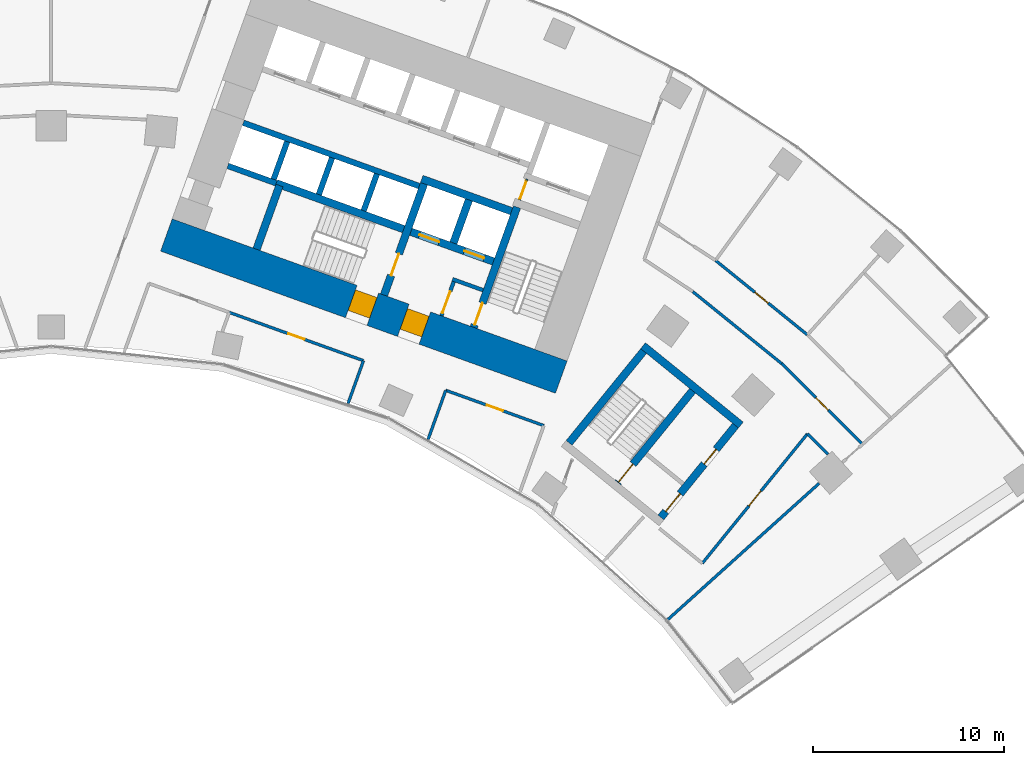
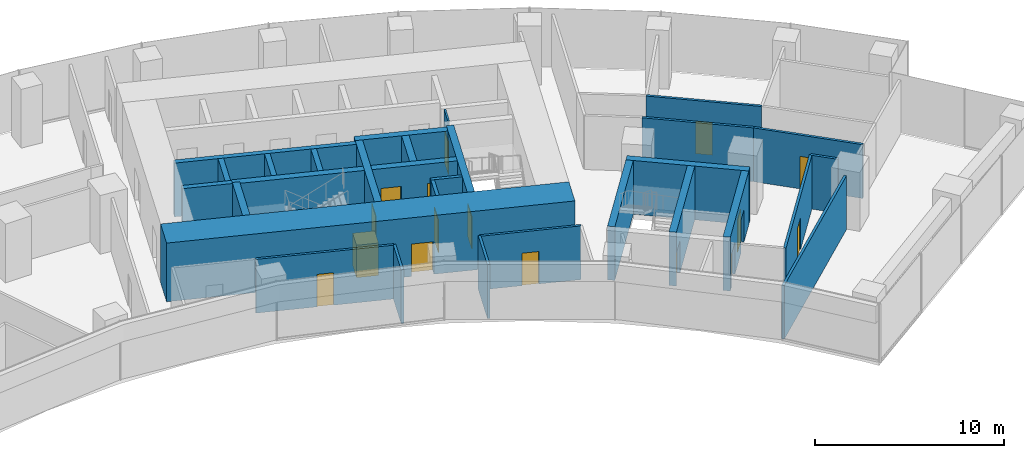
# One storey, part 17 of 21: 29 walls, 16 doors, 16 openings.
"""IFC4 building model written with IfcOpenShell, lengths in metres."""

from ifc_helpers import new_model, si_unit, direction, frame, frame_2d, origin, place, context, subcontext, project, spatial, rectangle, extrude, material, layer, layer_set, type_object, element, fill, save


model = new_model("IFC4")

# Units and contexts
model_context = context("Model", 3, precision=1e-05, world=origin(), true_north=direction((0.0, 1.0)))
body_context = subcontext(model_context, "Body", "Model", "MODEL_VIEW")
ifc_project = project(units=[si_unit("LENGTHUNIT", "METRE"), si_unit("AREAUNIT", "SQUARE_METRE"), si_unit("VOLUMEUNIT", "CUBIC_METRE"), si_unit("PLANEANGLEUNIT", "RADIAN"), si_unit("MASSUNIT", "GRAM", prefix="KILO")], contexts=[model_context])

# Site, building, storey
site_placement = place(None, origin())
site = spatial("IfcSite", under=ifc_project, at=site_placement, CompositionType="ELEMENT")
building_placement = place(site_placement, origin())
building = spatial("IfcBuilding", under=site, at=building_placement, Name="Stone Belt Terrace Tower", CompositionType="ELEMENT")
storey_placement = place(building_placement, frame((0.0, 0.0, 60.39990234375)))
storey = spatial("IfcBuildingStorey", under=building, at=storey_placement, Name="L14", CompositionType="ELEMENT", Elevation=60.39990234375)

# Wall, opening, door
ifc_material_1 = material(Name="Plasterboard partition")
ifc_layer_1 = layer(ifc_material_1, 0.10009765625)
ifc_layer_set_1 = layer_set([ifc_layer_1], Name="Core partition 100")
wall_type_1 = type_object("IfcWallType", Name="Core partition 100", PredefinedType="PARTITIONING", material=ifc_layer_set_1)
wall_1_placement = place(storey_placement, frame((24.555908203125, 51.10400390625, 0.0), z_axis=(0.0, 0.0, 1.0), x_axis=(0.338621735342, 0.94092258999, 0.0)))
wall_1 = element("IfcWall", 1, at=wall_1_placement, inside=storey, type_object=wall_type_1, Name="Core B wall", PredefinedType="PARTITIONING", context=body_context, shape_type="SweptSolid", body=[
    extrude(rectangle(XDim=1.14990234375, YDim=0.10009765625, at=frame_2d((0.574951171875, 0.0))), origin(), (0.0, 0.0, 1.0), 3.47998046875),
])
opening_1_placement = place(wall_1_placement, frame((0.050048828125, 0.0, 0.0)))
opening_1 = element("IfcOpeningElement", 2, at=opening_1_placement, cuts=wall_1, Name="Opening L14-C09", PredefinedType="OPENING", context=body_context, shape_type="SweptSolid", body=[
    extrude(rectangle(XDim=1.0, YDim=2.10009765625, at=frame_2d((0.5, 1.050048828125))), frame((0.0, 0.06005859375, 0.0), z_axis=(0.0, -1.0, 0.0), x_axis=(1.0, 0.0, 0.0)), (0.0, 0.0, 1.0), 0.1201171875),
])
ifc_material_2 = material(Name="Timber door leaf", Category="wood")
door_type_1 = type_object("IfcDoorType", Name="Core room door 1000", OperationType="SINGLE_SWING_LEFT", PredefinedType="DOOR", material=ifc_material_2)
door_1_placement = place(opening_1_placement, origin())
door_1 = element("IfcDoor", 3, at=door_1_placement, inside=storey, type_object=door_type_1, Name="Service lift lobby door core B", OperationType="SINGLE_SWING_LEFT", OverallHeight=2.10009765625, OverallWidth=1.0, PredefinedType="DOOR", context=body_context, shape_type="SweptSolid", body=[
    extrude(rectangle(XDim=1.0, YDim=2.10009765625, at=frame_2d((0.5, 1.050048828125))), frame((0.0, 0.02490234375, 0.0), z_axis=(0.0, -1.0, 0.0), x_axis=(1.0, 0.0, 0.0)), (0.0, 0.0, 1.0), 0.050048828125),
])
fill(opening_1, door_1)

# Wall, openings, doors
ifc_material_3 = material(Name="Concrete B80", Category="concrete")
ifc_layer_2 = layer(ifc_material_3, 1.800048828125)
ifc_layer_set_2 = layer_set([ifc_layer_2], Name="Core wall 1800 B80")
wall_type_2 = type_object("IfcWallType", Name="Core wall 1800 B80", PredefinedType="SHEAR", material=ifc_layer_set_2)
wall_2_placement = place(storey_placement, frame((6.039306640625, 49.265380859375, 0.0), z_axis=(0.0, 0.0, 1.0), x_axis=(0.940921642213, -0.338624368902, 0.0)))
wall_2 = element("IfcWall", 4, at=wall_2_placement, inside=storey, type_object=wall_type_2, Name="Core B wall concave L14", PredefinedType="SHEAR", context=body_context, shape_type="SweptSolid", body=[
    extrude(rectangle(XDim=22.0, YDim=1.800048828125, at=frame_2d((11.0, 0.0))), origin(), (0.0, 0.0, 1.0), 3.800048828125),
])
opening_2_placement = place(wall_2_placement, frame((13.199951171875, 0.0, 0.0)))
opening_2 = element("IfcOpeningElement", 5, at=opening_2_placement, cuts=wall_2, Name="Opening L14-C13", PredefinedType="OPENING", context=body_context, shape_type="SweptSolid", body=[
    extrude(rectangle(XDim=1.199951171875, YDim=2.10009765625, at=frame_2d((0.60009765625, 1.050048828125))), frame((0.0, 0.909912109375, 0.0), z_axis=(0.0, -1.0, 0.0), x_axis=(1.0, 0.0, 0.0)), (0.0, 0.0, 1.0), 1.820068359375),
])
opening_3_placement = place(wall_2_placement, frame((10.300048828125, 0.0, 0.0)))
opening_3 = element("IfcOpeningElement", 6, at=opening_3_placement, cuts=wall_2, Name="Opening L14-C15", PredefinedType="OPENING", context=body_context, shape_type="SweptSolid", body=[
    extrude(rectangle(XDim=1.199951171875, YDim=2.10009765625, at=frame_2d((0.60009765625, 1.050048828125))), frame((0.0, 0.909912109375, 0.0), z_axis=(0.0, -1.0, 0.0), x_axis=(1.0, 0.0, 0.0)), (0.0, 0.0, 1.0), 1.820068359375),
])
ifc_material_4 = material(Name="Steel door leaf", Category="steel")
door_type_2 = type_object("IfcDoorType", Name="Fire-fighting lobby door 1200", OperationType="SINGLE_SWING_LEFT", PredefinedType="DOOR", material=ifc_material_4)
door_2_placement = place(opening_2_placement, origin())
door_2 = element("IfcDoor", 7, at=door_2_placement, inside=storey, type_object=door_type_2, Name="Fire-fighting lobby door core B", OperationType="SINGLE_SWING_LEFT", OverallHeight=2.10009765625, OverallWidth=1.199951171875, PredefinedType="DOOR", context=body_context, shape_type="SweptSolid", body=[
    extrude(rectangle(XDim=1.199951171875, YDim=2.10009765625, at=frame_2d((0.60009765625, 1.050048828125))), frame((0.0, 0.655029296875, 0.0), z_axis=(0.0, -1.0, 0.0), x_axis=(1.0, 0.0, 0.0)), (0.0, 0.0, 1.0), 1.14990234375),
])
fill(opening_2, door_2)
door_type_3 = type_object("IfcDoorType", Name="Stair door 1200", OperationType="SINGLE_SWING_LEFT", PredefinedType="DOOR", material=ifc_material_4)
door_3_placement = place(opening_3_placement, origin())
door_3 = element("IfcDoor", 8, at=door_3_placement, inside=storey, type_object=door_type_3, Name="Stair 2 exit door core B", OperationType="SINGLE_SWING_RIGHT", OverallHeight=2.10009765625, OverallWidth=1.199951171875, PredefinedType="DOOR", context=body_context, shape_type="SweptSolid", body=[
    extrude(rectangle(XDim=1.199951171875, YDim=2.10009765625, at=frame_2d((0.60009765625, 1.050048828125))), frame((0.0, 0.655029296875, 0.0), z_axis=(0.0, -1.0, 0.0), x_axis=(1.0, 0.0, 0.0)), (0.0, 0.0, 1.0), 1.14990234375),
])
fill(opening_3, door_3)

# Walls
ifc_layer_3 = layer(ifc_material_3, 0.39990234375)
ifc_layer_set_3 = layer_set([ifc_layer_3], Name="Fire-fighting lift shaft wall 400")
wall_type_3 = type_object("IfcWallType", Name="Fire-fighting lift shaft wall 400", PredefinedType="SHEAR", material=ifc_layer_set_3)
wall_3_placement = place(storey_placement, frame((24.130615234375, 50.512939453125, 0.0), z_axis=(0.0, 0.0, 1.0), x_axis=(-0.94091168377, 0.338652038744, 0.0)))
element("IfcWall", 9, at=wall_3_placement, inside=storey, type_object=wall_type_3, Name="Core B wall", PredefinedType="SHEAR", context=body_context, shape_type="SweptSolid", body=[
    extrude(rectangle(XDim=5.000244140625, YDim=0.39990234375, at=frame_2d((2.5, 0.0))), origin(), (0.0, 0.0, 1.0), 3.47998046875),
])
wall_4_placement = place(storey_placement, frame((21.0859375, 48.845458984375, 0.0), z_axis=(0.0, 0.0, 1.0), x_axis=(0.338629416206, 0.940919825745, 0.0)))
element("IfcWall", 10, at=wall_4_placement, inside=storey, type_object=wall_type_3, Name="Core B wall", PredefinedType="SHEAR", context=body_context, shape_type="SweptSolid", body=[
    extrude(rectangle(XDim=2.400146484375, YDim=0.39990234375, at=frame_2d((1.2001953125, 0.0))), origin(), (0.0, 0.0, 1.0), 3.47998046875),
])
ifc_layer_4 = layer(ifc_material_3, 0.300048828125)
ifc_layer_set_4 = layer_set([ifc_layer_4], Name="Lift shaft wall 300")
wall_type_4 = type_object("IfcWallType", Name="Lift shaft wall 300", PredefinedType="SHEAR", material=ifc_layer_set_4)
wall_5_placement = place(storey_placement, frame((19.29052734375, 51.829833984375, 0.0), z_axis=(0.0, 0.0, 1.0), x_axis=(-0.940925833398, 0.338612722803, 0.0)))
element("IfcWall", 11, at=wall_5_placement, inside=storey, type_object=wall_type_4, Name="Core B wall", PredefinedType="SHEAR", context=body_context, shape_type="SweptSolid", body=[
    extrude(rectangle(XDim=9.7998046875, YDim=0.300048828125, at=frame_2d((4.89990234375, 0.0))), origin(), (0.0, 0.0, 1.0), 3.47998046875),
])
for number, where, z_axis, x_axis, name in (
    (12, (16.38134765625, 50.53857421875, 0.0), (0.0, 0.0, 1.0), (0.338681515556, 0.940901073982, 0.0), "Core B wall"),
    (13, (14.029052734375, 51.38525390625, 0.0), (0.0, 0.0, 1.0), (0.338681515556, 0.940901073982, 0.0), "Core B wall"),
):
    element("IfcWall", number, at=place(storey_placement, frame(where, z_axis=z_axis, x_axis=x_axis)), inside=storey, type_object=wall_type_4, Name=name, PredefinedType="SHEAR", context=body_context, shape_type="SweptSolid", body=[
        extrude(rectangle(XDim=2.050048828125, YDim=0.300048828125, at=frame_2d((1.02490234375, 0.0))), origin(), (0.0, 0.0, 1.0), 3.47998046875),
    ])
wall_6_placement = place(storey_placement, frame((11.797119140625, 51.975830078125, 0.0), z_axis=(0.0, 0.0, 1.0), x_axis=(-0.940910465161, 0.33865542451, 0.0)))
element("IfcWall", 14, at=wall_6_placement, inside=storey, type_object=wall_type_4, Name="Core B wall", PredefinedType="SHEAR", context=body_context, shape_type="SweptSolid", body=[
    extrude(rectangle(XDim=2.69970703125, YDim=0.300048828125, at=frame_2d((1.349853515625, 0.0))), origin(), (0.0, 0.0, 1.0), 3.47998046875),
])
wall_7_placement = place(storey_placement, frame((11.659912109375, 52.184814453125, 0.0), z_axis=(0.0, 0.0, 1.0), x_axis=(0.338670064856, 0.940905195634, 0.0)))
element("IfcWall", 15, at=wall_7_placement, inside=storey, type_object=wall_type_4, Name="Core B wall", PredefinedType="SHEAR", context=body_context, shape_type="SweptSolid", body=[
    extrude(rectangle(XDim=2.099853515625, YDim=0.300048828125, at=frame_2d((1.0498046875, 0.0))), origin(), (0.0, 0.0, 1.0), 3.47998046875),
])
ifc_material_5 = material(Name="Gypsum board partition")
ifc_layer_5 = layer(ifc_material_5, 0.14990234375)
ifc_layer_set_5 = layer_set([ifc_layer_5], Name="PARTITION 150 EI 60")
wall_type_5 = type_object("IfcWallType", Name="PARTITION 150 EI 60", PredefinedType="PARTITIONING", material=ifc_layer_set_5)
wall_8_placement = place(storey_placement, frame((15.56201171875, 40.431640625, 0.0), z_axis=(0.0, 0.0, 1.0), x_axis=(0.338766581984, 0.9408704496, 0.0)))
element("IfcWall", 16, at=wall_8_placement, inside=storey, type_object=wall_type_5, Name="L14/wall/i031", PredefinedType="PARTITIONING", context=body_context, shape_type="SweptSolid", body=[
    extrude(rectangle(XDim=2.385498046875, YDim=0.14990234375, at=frame_2d((1.19287109375, 0.0))), origin(), (0.0, 0.0, 1.0), 3.47998046875),
])

# Wall, opening, door
wall_9_placement = place(storey_placement, frame((16.368896484375, 42.678955078125, 0.0), z_axis=(0.0, 0.0, 1.0), x_axis=(-0.940945636493, 0.338557689565, 0.0)))
wall_9 = element("IfcWall", 17, at=wall_9_placement, inside=storey, type_object=wall_type_5, Name="L14/wall/i032", PredefinedType="PARTITIONING", context=body_context, shape_type="SweptSolid", body=[
    extrude(rectangle(XDim=7.481689453125, YDim=0.14990234375, at=frame_2d((3.74072265625, 0.0))), origin(), (0.0, 0.0, 1.0), 3.47998046875),
])
opening_4_placement = place(wall_9_placement, frame((3.291015625, 0.0, 0.0)))
opening_4 = element("IfcOpeningElement", 18, at=opening_4_placement, cuts=wall_9, Name="Opening D-A4-08", PredefinedType="OPENING", context=body_context, shape_type="SweptSolid", body=[
    extrude(rectangle(XDim=0.89990234375, YDim=2.10009765625, at=frame_2d((0.449951171875, 1.050048828125))), frame((0.0, 0.0849609375, 0.0), z_axis=(0.0, -1.0, 0.0), x_axis=(1.0, 0.0, 0.0)), (0.0, 0.0, 1.0), 0.169921875),
])
door_type_4 = type_object("IfcDoorType", Name="OFFICE DOOR 900 X 2100", OperationType="NOTDEFINED", PredefinedType="DOOR", material=ifc_material_2)
door_4_placement = place(opening_4_placement, origin())
door_4 = element("IfcDoor", 19, at=door_4_placement, inside=storey, type_object=door_type_4, Name="L14/door/i08", OperationType="SINGLE_SWING_RIGHT", OverallHeight=2.10009765625, OverallWidth=0.89990234375, PredefinedType="DOOR", context=body_context, shape_type="SweptSolid", body=[
    extrude(rectangle(XDim=0.89990234375, YDim=2.10009765625, at=frame_2d((0.449951171875, 1.050048828125))), frame((0.0, 0.02490234375, 0.0), z_axis=(0.0, -1.0, 0.0), x_axis=(1.0, 0.0, 0.0)), (0.0, 0.0, 1.0), 0.050048828125),
])
fill(opening_4, door_4)

wall_10_placement = place(storey_placement, frame((25.823974609375, 39.27490234375, 0.0), z_axis=(0.0, 0.0, 1.0), x_axis=(-0.940898242366, 0.338689382048, 0.0)))
wall_10 = element("IfcWall", 20, at=wall_10_placement, inside=storey, type_object=wall_type_5, Name="L14/wall/i033", PredefinedType="PARTITIONING", context=body_context, shape_type="SweptSolid", body=[
    extrude(rectangle(XDim=5.459716796875, YDim=0.14990234375, at=frame_2d((2.72998046875, 0.0))), origin(), (0.0, 0.0, 1.0), 3.47998046875),
])
opening_5_placement = place(wall_10_placement, frame((2.27978515625, 0.0, 0.0)))
opening_5 = element("IfcOpeningElement", 21, at=opening_5_placement, cuts=wall_10, Name="Opening D-A4-09", PredefinedType="OPENING", context=body_context, shape_type="SweptSolid", body=[
    extrude(rectangle(XDim=0.89990234375, YDim=2.10009765625, at=frame_2d((0.449951171875, 1.050048828125))), frame((0.0, 0.0849609375, 0.0), z_axis=(0.0, -1.0, 0.0), x_axis=(1.0, 0.0, 0.0)), (0.0, 0.0, 1.0), 0.169921875),
])
door_5_placement = place(opening_5_placement, origin())
door_5 = element("IfcDoor", 22, at=door_5_placement, inside=storey, type_object=door_type_4, Name="L14/door/i09", OperationType="SINGLE_SWING_RIGHT", OverallHeight=2.10009765625, OverallWidth=0.89990234375, PredefinedType="DOOR", context=body_context, shape_type="SweptSolid", body=[
    extrude(rectangle(XDim=0.89990234375, YDim=2.10009765625, at=frame_2d((0.449951171875, 1.050048828125))), frame((0.0, 0.02490234375, 0.0), z_axis=(0.0, -1.0, 0.0), x_axis=(1.0, 0.0, 0.0)), (0.0, 0.0, 1.0), 0.050048828125),
])
fill(opening_5, door_5)

# Walls
wall_11_placement = place(storey_placement, frame((20.68408203125, 41.123046875, 0.0), z_axis=(0.0, 0.0, 1.0), x_axis=(-0.338747893052, -0.940877178463, 0.0)))
element("IfcWall", 23, at=wall_11_placement, inside=storey, type_object=wall_type_5, Name="L14/wall/i034", PredefinedType="PARTITIONING", context=body_context, shape_type="SweptSolid", body=[
    extrude(rectangle(XDim=2.7373046875, YDim=0.14990234375, at=frame_2d((1.36865234375, 0.0))), origin(), (0.0, 0.0, 1.0), 3.47998046875),
])
wall_12_placement = place(storey_placement, frame((32.32666015625, 29.107177734375, 0.0), z_axis=(0.0, 0.0, 1.0), x_axis=(0.743125739533, 0.66915180284, 0.0)))
element("IfcWall", 24, at=wall_12_placement, inside=storey, type_object=wall_type_5, Name="L14/wall/i060", PredefinedType="PARTITIONING", context=body_context, shape_type="SweptSolid", body=[
    extrude(rectangle(XDim=10.670166015625, YDim=0.14990234375, at=frame_2d((5.3349609375, 0.0))), origin(), (0.0, 0.0, 1.0), 3.47998046875),
])
wall_13_placement = place(storey_placement, frame((40.71240234375, 37.7744140625, 0.0), z_axis=(0.0, 0.0, 1.0), x_axis=(-0.707106781187, 0.707106781187, 0.0)))
element("IfcWall", 25, at=wall_13_placement, inside=storey, type_object=wall_type_5, Name="L14/wall/i063", PredefinedType="PARTITIONING", context=body_context, shape_type="SweptSolid", body=[
    extrude(rectangle(XDim=1.51806640625, YDim=0.14990234375, at=frame_2d((0.759033203125, 0.0))), origin(), (0.0, 0.0, 1.0), 3.47998046875),
])
wall_14_placement = place(storey_placement, frame((33.635986328125, 46.2958984375, 0.0), z_axis=(0.0, 0.0, 1.0), x_axis=(0.77714422733, -0.629322532513, 0.0)))
element("IfcWall", 26, at=wall_14_placement, inside=storey, type_object=wall_type_5, Name="L14/wall/i065", PredefinedType="PARTITIONING", context=body_context, shape_type="SweptSolid", body=[
    extrude(rectangle(XDim=5.98876953125, YDim=0.14990234375, at=frame_2d((2.994384765625, 0.0))), origin(), (0.0, 0.0, 1.0), 3.47998046875),
])

# Wall, opening, door
wall_15_placement = place(storey_placement, frame((38.291015625, 42.52587890625, 0.0), z_axis=(0.0, 0.0, 1.0), x_axis=(0.707106781187, -0.707106781187, 0.0)))
wall_15 = element("IfcWall", 27, at=wall_15_placement, inside=storey, type_object=wall_type_5, Name="L14/wall/i066", PredefinedType="PARTITIONING", context=body_context, shape_type="SweptSolid", body=[
    extrude(rectangle(XDim=5.989013671875, YDim=0.14990234375, at=frame_2d((2.99462890625, 0.0))), origin(), (0.0, 0.0, 1.0), 3.47998046875),
])
opening_6_placement = place(wall_15_placement, frame((2.544677734375, 0.0, 0.0)))
opening_6 = element("IfcOpeningElement", 28, at=opening_6_placement, cuts=wall_15, Name="Opening D-A4-24", PredefinedType="OPENING", context=body_context, shape_type="SweptSolid", body=[
    extrude(rectangle(XDim=0.89990234375, YDim=2.10009765625, at=frame_2d((0.449951171875, 1.050048828125))), frame((0.0, 0.0849609375, 0.0), z_axis=(0.0, -1.0, 0.0), x_axis=(1.0, 0.0, 0.0)), (0.0, 0.0, 1.0), 0.169921875),
])
door_6_placement = place(opening_6_placement, origin())
door_6 = element("IfcDoor", 29, at=door_6_placement, inside=storey, type_object=door_type_4, Name="L14/door/i24", OperationType="SINGLE_SWING_RIGHT", OverallHeight=2.10009765625, OverallWidth=0.89990234375, PredefinedType="DOOR", context=body_context, shape_type="SweptSolid", body=[
    extrude(rectangle(XDim=0.89990234375, YDim=2.10009765625, at=frame_2d((0.449951171875, 1.050048828125))), frame((0.0, 0.02490234375, 0.0), z_axis=(0.0, -1.0, 0.0), x_axis=(1.0, 0.0, 0.0)), (0.0, 0.0, 1.0), 0.050048828125),
])
fill(opening_6, door_6)

wall_16_placement = place(storey_placement, frame((39.64306640625, 38.843994140625, 0.0), z_axis=(0.0, 0.0, 1.0), x_axis=(-0.630226712005, -0.776411161354, 0.0)))
wall_16 = element("IfcWall", 30, at=wall_16_placement, inside=storey, type_object=wall_type_5, Name="L14/wall/i067", PredefinedType="PARTITIONING", context=body_context, shape_type="SweptSolid", body=[
    extrude(rectangle(XDim=8.742919921875, YDim=0.14990234375, at=frame_2d((4.37158203125, 0.0))), origin(), (0.0, 0.0, 1.0), 3.47998046875),
])
opening_7_placement = place(wall_16_placement, frame((3.871337890625, 0.0, 0.0)))
opening_7 = element("IfcOpeningElement", 31, at=opening_7_placement, cuts=wall_16, Name="Opening D-A4-23", PredefinedType="OPENING", context=body_context, shape_type="SweptSolid", body=[
    extrude(rectangle(XDim=1.0, YDim=2.10009765625, at=frame_2d((0.5, 1.050048828125))), frame((0.0, 0.0849609375, 0.0), z_axis=(0.0, -1.0, 0.0), x_axis=(1.0, 0.0, 0.0)), (0.0, 0.0, 1.0), 0.169921875),
])
ifc_material_6 = material(Name="Timber fire door leaf", Category="wood")
door_type_5 = type_object("IfcDoorType", Name="TENANCY ENTRANCE DOOR 1000 X 2100", OperationType="NOTDEFINED", PredefinedType="DOOR", material=ifc_material_6)
door_7_placement = place(opening_7_placement, origin())
door_7 = element("IfcDoor", 32, at=door_7_placement, inside=storey, type_object=door_type_5, Name="L14/door/i23", OperationType="SINGLE_SWING_RIGHT", OverallHeight=2.10009765625, OverallWidth=1.0, PredefinedType="DOOR", context=body_context, shape_type="SweptSolid", body=[
    extrude(rectangle(XDim=1.0, YDim=2.10009765625, at=frame_2d((0.5, 1.050048828125))), frame((0.0, 0.02490234375, 0.0), z_axis=(0.0, -1.0, 0.0), x_axis=(1.0, 0.0, 0.0)), (0.0, 0.0, 1.0), 0.050048828125),
])
fill(opening_7, door_7)

wall_17_placement = place(storey_placement, frame((34.825927734375, 47.93408203125, 0.0), z_axis=(0.0, 0.0, 1.0), x_axis=(0.777094493267, -0.629383943658, 0.0)))
wall_17 = element("IfcWall", 33, at=wall_17_placement, inside=storey, type_object=wall_type_5, Name="L14/wall/i071", PredefinedType="PARTITIONING", context=body_context, shape_type="SweptSolid", body=[
    extrude(rectangle(XDim=6.201416015625, YDim=0.14990234375, at=frame_2d((3.1005859375, 0.0))), origin(), (0.0, 0.0, 1.0), 3.47998046875),
])
opening_8_placement = place(wall_17_placement, frame((2.650634765625, 0.0, 0.0)))
opening_8 = element("IfcOpeningElement", 34, at=opening_8_placement, cuts=wall_17, Name="Opening D-A4-26", PredefinedType="OPENING", context=body_context, shape_type="SweptSolid", body=[
    extrude(rectangle(XDim=0.89990234375, YDim=2.10009765625, at=frame_2d((0.449951171875, 1.050048828125))), frame((0.0, 0.0849609375, 0.0), z_axis=(0.0, -1.0, 0.0), x_axis=(1.0, 0.0, 0.0)), (0.0, 0.0, 1.0), 0.169921875),
])
door_8_placement = place(opening_8_placement, origin())
door_8 = element("IfcDoor", 35, at=door_8_placement, inside=storey, type_object=door_type_4, Name="L14/door/i26", OperationType="SINGLE_SWING_RIGHT", OverallHeight=2.10009765625, OverallWidth=0.89990234375, PredefinedType="DOOR", context=body_context, shape_type="SweptSolid", body=[
    extrude(rectangle(XDim=0.89990234375, YDim=2.10009765625, at=frame_2d((0.449951171875, 1.050048828125))), frame((0.0, 0.02490234375, 0.0), z_axis=(0.0, -1.0, 0.0), x_axis=(1.0, 0.0, 0.0)), (0.0, 0.0, 1.0), 0.050048828125),
])
fill(opening_8, door_8)

# Wall
ifc_material_7 = material(Name="Concrete masonry block", Category="masonry")
ifc_layer_6 = layer(ifc_material_7, 0.199951171875)
ifc_layer_set_6 = layer_set([ifc_layer_6], Name="Rated lobby wall 200")
wall_type_6 = type_object("IfcWallType", Name="Rated lobby wall 200", PredefinedType="PARTITIONING", material=ifc_layer_set_6)
wall_18_placement = place(storey_placement, frame((22.640625, 46.373046875, 0.0), z_axis=(0.0, 0.0, 1.0), x_axis=(-0.940966110313, 0.338500781747, 0.0)))
element("IfcWall", 36, at=wall_18_placement, inside=storey, type_object=wall_type_6, Name="Core B wall", PredefinedType="PARTITIONING", context=body_context, shape_type="SweptSolid", body=[
    extrude(rectangle(XDim=1.699951171875, YDim=0.199951171875, at=frame_2d((0.85009765625, 0.0))), origin(), (0.0, 0.0, 1.0), 3.47998046875),
])

# Wall, opening, door
wall_19_placement = place(storey_placement, frame((20.4580078125, 45.032958984375, 0.0), z_axis=(0.0, 0.0, 1.0), x_axis=(0.338573865316, 0.940939816208, 0.0)))
wall_19 = element("IfcWall", 37, at=wall_19_placement, inside=storey, type_object=wall_type_6, Name="Core B wall", PredefinedType="PARTITIONING", context=body_context, shape_type="SweptSolid", body=[
    extrude(rectangle(XDim=1.900146484375, YDim=0.199951171875, at=frame_2d((0.9501953125, 0.0))), origin(), (0.0, 0.0, 1.0), 3.47998046875),
])
opening_9_placement = place(wall_19_placement, frame((0.14990234375, 0.0, 0.0)))
opening_9 = element("IfcOpeningElement", 38, at=opening_9_placement, cuts=wall_19, Name="Opening L14-C12", PredefinedType="OPENING", context=body_context, shape_type="SweptSolid", body=[
    extrude(rectangle(XDim=1.199951171875, YDim=2.10009765625, at=frame_2d((0.60009765625, 1.050048828125))), frame((0.0, 0.10986328125, 0.0), z_axis=(0.0, -1.0, 0.0), x_axis=(1.0, 0.0, 0.0)), (0.0, 0.0, 1.0), 0.219970703125),
])
door_9_placement = place(opening_9_placement, origin())
door_9 = element("IfcDoor", 39, at=door_9_placement, inside=storey, type_object=door_type_3, Name="Stair airlock door core B", OperationType="SINGLE_SWING_LEFT", OverallHeight=2.10009765625, OverallWidth=1.199951171875, PredefinedType="DOOR", context=body_context, shape_type="SweptSolid", body=[
    extrude(rectangle(XDim=1.199951171875, YDim=2.10009765625, at=frame_2d((0.60009765625, 1.050048828125))), frame((0.0, 0.02490234375, 0.0), z_axis=(0.0, -1.0, 0.0), x_axis=(1.0, 0.0, 0.0)), (0.0, 0.0, 1.0), 0.050048828125),
])
fill(opening_9, door_9)

ifc_layer_7 = layer(ifc_material_3, 0.39990234375)
ifc_layer_set_7 = layer_set([ifc_layer_7], Name="Stair enclosure wall 400")
wall_type_7 = type_object("IfcWallType", Name="Stair enclosure wall 400", PredefinedType="SHEAR", material=ifc_layer_set_7)
wall_20_placement = place(storey_placement, frame((22.151611328125, 44.42333984375, 0.0), z_axis=(0.0, 0.0, 1.0), x_axis=(0.338625272931, 0.940921316866, 0.0)))
wall_20 = element("IfcWall", 40, at=wall_20_placement, inside=storey, type_object=wall_type_7, Name="Core B wall", PredefinedType="SHEAR", context=body_context, shape_type="SweptSolid", body=[
    extrude(rectangle(XDim=6.699951171875, YDim=0.39990234375, at=frame_2d((3.35009765625, 0.0))), origin(), (0.0, 0.0, 1.0), 3.47998046875),
])
opening_10_placement = place(wall_20_placement, frame((0.14990234375, 0.0, 0.0)))
opening_10 = element("IfcOpeningElement", 41, at=opening_10_placement, cuts=wall_20, Name="Opening L14-C11", PredefinedType="OPENING", context=body_context, shape_type="SweptSolid", body=[
    extrude(rectangle(XDim=1.199951171875, YDim=2.10009765625, at=frame_2d((0.60009765625, 1.050048828125))), frame((0.0, 0.2099609375, 0.0), z_axis=(0.0, -1.0, 0.0), x_axis=(1.0, 0.0, 0.0)), (0.0, 0.0, 1.0), 0.419921875),
])
door_10_placement = place(opening_10_placement, origin())
door_10 = element("IfcDoor", 42, at=door_10_placement, inside=storey, type_object=door_type_3, Name="Stair 1 door core B", OperationType="SINGLE_SWING_LEFT", OverallHeight=2.10009765625, OverallWidth=1.199951171875, PredefinedType="DOOR", context=body_context, shape_type="SweptSolid", body=[
    extrude(rectangle(XDim=1.199951171875, YDim=2.10009765625, at=frame_2d((0.60009765625, 1.050048828125))), frame((0.0, 0.02490234375, 0.0), z_axis=(0.0, -1.0, 0.0), x_axis=(1.0, 0.0, 0.0)), (0.0, 0.0, 1.0), 0.050048828125),
])
fill(opening_10, door_10)

# Wall, openings, doors
wall_21_placement = place(storey_placement, frame((23.182373046875, 47.87841796875, 0.0), z_axis=(0.0, 0.0, 1.0), x_axis=(-0.940921101762, 0.338625870628, 0.0)))
wall_21 = element("IfcWall", 43, at=wall_21_placement, inside=storey, type_object=wall_type_7, Name="Core B wall", PredefinedType="SHEAR", context=body_context, shape_type="SweptSolid", body=[
    extrude(rectangle(XDim=12.10009765625, YDim=0.39990234375, at=frame_2d((6.050048828125, 0.0))), origin(), (0.0, 0.0, 1.0), 3.47998046875),
])
opening_11_placement = place(wall_21_placement, frame((0.52001953125, 0.0, 0.0)))
opening_11 = element("IfcOpeningElement", 44, at=opening_11_placement, cuts=wall_21, Name="Opening L14-LD16", PredefinedType="OPENING", context=body_context, shape_type="SweptSolid", body=[
    extrude(rectangle(XDim=1.10009765625, YDim=2.199951171875, at=frame_2d((0.550048828125, 1.10009765625))), frame((0.0, 0.2099609375, 0.0), z_axis=(0.0, -1.0, 0.0), x_axis=(1.0, 0.0, 0.0)), (0.0, 0.0, 1.0), 0.419921875),
])
opening_12_placement = place(wall_21_placement, frame((3.02001953125, 0.0, 0.0)))
opening_12 = element("IfcOpeningElement", 45, at=opening_12_placement, cuts=wall_21, Name="Opening L14-LD17", PredefinedType="OPENING", context=body_context, shape_type="SweptSolid", body=[
    extrude(rectangle(XDim=1.10009765625, YDim=2.199951171875, at=frame_2d((0.550048828125, 1.10009765625))), frame((0.0, 0.2099609375, 0.0), z_axis=(0.0, -1.0, 0.0), x_axis=(1.0, 0.0, 0.0)), (0.0, 0.0, 1.0), 0.419921875),
])
ifc_material_8 = material(Name="Stainless steel door leaf", Category="steel")
door_type_6 = type_object("IfcDoorType", Name="Landing door 1100", OperationType="SLIDING_TO_LEFT", PredefinedType="DOOR", material=ifc_material_8)
door_11_placement = place(opening_11_placement, origin())
door_11 = element("IfcDoor", 46, at=door_11_placement, inside=storey, type_object=door_type_6, Name="Landing door FF1 core B", OperationType="SLIDING_TO_LEFT", OverallHeight=2.199951171875, OverallWidth=1.10009765625, PredefinedType="DOOR", context=body_context, shape_type="SweptSolid", body=[
    extrude(rectangle(XDim=1.10009765625, YDim=2.199951171875, at=frame_2d((0.550048828125, 1.10009765625))), frame((0.0, 0.02490234375, 0.0), z_axis=(0.0, -1.0, 0.0), x_axis=(1.0, 0.0, 0.0)), (0.0, 0.0, 1.0), 0.050048828125),
])
fill(opening_11, door_11)
door_12_placement = place(opening_12_placement, origin())
door_12 = element("IfcDoor", 47, at=door_12_placement, inside=storey, type_object=door_type_6, Name="Landing door FF2 core B", OperationType="SLIDING_TO_LEFT", OverallHeight=2.199951171875, OverallWidth=1.10009765625, PredefinedType="DOOR", context=body_context, shape_type="SweptSolid", body=[
    extrude(rectangle(XDim=1.10009765625, YDim=2.199951171875, at=frame_2d((0.550048828125, 1.10009765625))), frame((0.0, 0.02490234375, 0.0), z_axis=(0.0, -1.0, 0.0), x_axis=(1.0, 0.0, 0.0)), (0.0, 0.0, 1.0), 0.050048828125),
])
fill(opening_12, door_12)

# Wall, opening, door
wall_22_placement = place(storey_placement, frame((17.447021484375, 46.116455078125, 0.0), z_axis=(0.0, 0.0, 1.0), x_axis=(0.33860791464, 0.940927563707, 0.0)))
wall_22 = element("IfcWall", 48, at=wall_22_placement, inside=storey, type_object=wall_type_7, Name="Core B wall", PredefinedType="SHEAR", context=body_context, shape_type="SweptSolid", body=[
    extrude(rectangle(XDim=6.199951171875, YDim=0.39990234375, at=frame_2d((3.10009765625, 0.0))), origin(), (0.0, 0.0, 1.0), 3.47998046875),
])
opening_13_placement = place(wall_22_placement, frame((1.10009765625, 0.0, 0.0)))
opening_13 = element("IfcOpeningElement", 49, at=opening_13_placement, cuts=wall_22, Name="Opening L14-C14", PredefinedType="OPENING", context=body_context, shape_type="SweptSolid", body=[
    extrude(rectangle(XDim=1.199951171875, YDim=2.10009765625, at=frame_2d((0.60009765625, 1.050048828125))), frame((0.0, 0.2099609375, 0.0), z_axis=(0.0, -1.0, 0.0), x_axis=(1.0, 0.0, 0.0)), (0.0, 0.0, 1.0), 0.419921875),
])
door_13_placement = place(opening_13_placement, origin())
door_13 = element("IfcDoor", 50, at=door_13_placement, inside=storey, type_object=door_type_3, Name="Stair 2 door core B", OperationType="SINGLE_SWING_LEFT", OverallHeight=2.10009765625, OverallWidth=1.199951171875, PredefinedType="DOOR", context=body_context, shape_type="SweptSolid", body=[
    extrude(rectangle(XDim=1.199951171875, YDim=2.10009765625, at=frame_2d((0.60009765625, 1.050048828125))), frame((0.0, 0.02490234375, 0.0), z_axis=(0.0, -1.0, 0.0), x_axis=(1.0, 0.0, 0.0)), (0.0, 0.0, 1.0), 0.050048828125),
])
fill(opening_13, door_13)

# Walls
wall_23_placement = place(storey_placement, frame((10.766357421875, 48.520751953125, 0.0), z_axis=(0.0, 0.0, 1.0), x_axis=(0.338626928157, 0.94092072117, 0.0)))
element("IfcWall", 51, at=wall_23_placement, inside=storey, type_object=wall_type_7, Name="Core B wall", PredefinedType="SHEAR", context=body_context, shape_type="SweptSolid", body=[
    extrude(rectangle(XDim=3.550048828125, YDim=0.39990234375, at=frame_2d((1.77490234375, 0.0))), origin(), (0.0, 0.0, 1.0), 3.47998046875),
])
wall_24_placement = place(storey_placement, frame((31.02783203125, 43.46337890625, 0.0), z_axis=(0.0, 0.0, 1.0), x_axis=(0.776413760801, -0.630223509589, 0.0)))
element("IfcWall", 52, at=wall_24_placement, inside=storey, type_object=wall_type_7, Name="Exit stair ST3B wall", PredefinedType="SHEAR", context=body_context, shape_type="SweptSolid", body=[
    extrude(rectangle(XDim=6.599853515625, YDim=0.39990234375, at=frame_2d((3.2998046875, 0.0))), origin(), (0.0, 0.0, 1.0), 3.47998046875),
])
wall_25_placement = place(storey_placement, frame((27.149658203125, 38.3681640625, 0.0), z_axis=(0.0, 0.0, 1.0), x_axis=(0.630211551729, 0.776423466973, 0.0)))
element("IfcWall", 53, at=wall_25_placement, inside=storey, type_object=wall_type_7, Name="Exit stair ST3B wall", PredefinedType="SHEAR", context=body_context, shape_type="SweptSolid", body=[
    extrude(rectangle(XDim=6.199951171875, YDim=0.39990234375, at=frame_2d((3.10009765625, 0.0))), origin(), (0.0, 0.0, 1.0), 3.47998046875),
])

# Wall, openings, doors
wall_26_placement = place(storey_placement, frame((31.963623046875, 34.460693359375, 0.0), z_axis=(0.0, 0.0, 1.0), x_axis=(0.630192283849, 0.776439106033, 0.0)))
wall_26 = element("IfcWall", 54, at=wall_26_placement, inside=storey, type_object=wall_type_7, Name="Exit stair ST3B wall", PredefinedType="SHEAR", context=body_context, shape_type="SweptSolid", body=[
    extrude(rectangle(XDim=6.199951171875, YDim=0.39990234375, at=frame_2d((3.10009765625, 0.0))), origin(), (0.0, 0.0, 1.0), 3.47998046875),
])
opening_14_placement = place(wall_26_placement, frame((0.39990234375, 0.0, 0.0)))
opening_14 = element("IfcOpeningElement", 55, at=opening_14_placement, cuts=wall_26, Name="Opening L14-C21", PredefinedType="OPENING", context=body_context, shape_type="SweptSolid", body=[
    extrude(rectangle(XDim=1.199951171875, YDim=2.10009765625, at=frame_2d((0.60009765625, 1.050048828125))), frame((0.0, 0.2099609375, 0.0), z_axis=(0.0, -1.0, 0.0), x_axis=(1.0, 0.0, 0.0)), (0.0, 0.0, 1.0), 0.419921875),
])
opening_15_placement = place(wall_26_placement, frame((3.60009765625, 0.0, 0.0)))
opening_15 = element("IfcOpeningElement", 56, at=opening_15_placement, cuts=wall_26, Name="Opening L14-C22", PredefinedType="OPENING", context=body_context, shape_type="SweptSolid", body=[
    extrude(rectangle(XDim=1.0, YDim=2.10009765625, at=frame_2d((0.5, 1.050048828125))), frame((0.0, 0.2099609375, 0.0), z_axis=(0.0, -1.0, 0.0), x_axis=(1.0, 0.0, 0.0)), (0.0, 0.0, 1.0), 0.419921875),
])
door_14_placement = place(opening_15_placement, origin())
door_14 = element("IfcDoor", 57, at=door_14_placement, inside=storey, type_object=door_type_1, Name="Door to stair pressurisation plant room ST3B", OperationType="SINGLE_SWING_RIGHT", OverallHeight=2.10009765625, OverallWidth=1.0, PredefinedType="DOOR", context=body_context, shape_type="SweptSolid", body=[
    extrude(rectangle(XDim=1.0, YDim=2.10009765625, at=frame_2d((0.5, 1.050048828125))), frame((0.0, 0.02490234375, 0.0), z_axis=(0.0, -1.0, 0.0), x_axis=(1.0, 0.0, 0.0)), (0.0, 0.0, 1.0), 0.050048828125),
])
fill(opening_15, door_14)
door_type_7 = type_object("IfcDoorType", Name="Stair airlock door 1200", OperationType="SINGLE_SWING_LEFT", PredefinedType="DOOR", material=ifc_material_4)
door_15_placement = place(opening_14_placement, origin())
door_15 = element("IfcDoor", 58, at=door_15_placement, inside=storey, type_object=door_type_7, Name="Stair airlock door ST3B", OperationType="SINGLE_SWING_RIGHT", OverallHeight=2.10009765625, OverallWidth=1.199951171875, PredefinedType="DOOR", context=body_context, shape_type="SweptSolid", body=[
    extrude(rectangle(XDim=1.199951171875, YDim=2.10009765625, at=frame_2d((0.60009765625, 1.050048828125))), frame((0.0, 0.02490234375, 0.0), z_axis=(0.0, -1.0, 0.0), x_axis=(1.0, 0.0, 0.0)), (0.0, 0.0, 1.0), 0.050048828125),
])
fill(opening_14, door_15)

# Wall, opening, door
wall_27_placement = place(storey_placement, frame((29.7119140625, 36.288330078125, 0.0), z_axis=(0.0, 0.0, 1.0), x_axis=(0.630192283849, 0.776439106033, 0.0)))
wall_27 = element("IfcWall", 59, at=wall_27_placement, inside=storey, type_object=wall_type_7, Name="Exit stair ST3B wall", PredefinedType="SHEAR", context=body_context, shape_type="SweptSolid", body=[
    extrude(rectangle(XDim=6.199951171875, YDim=0.39990234375, at=frame_2d((3.10009765625, 0.0))), origin(), (0.0, 0.0, 1.0), 3.47998046875),
])
opening_16_placement = place(wall_27_placement, frame((0.050048828125, 0.0, 0.0)))
opening_16 = element("IfcOpeningElement", 60, at=opening_16_placement, cuts=wall_27, Name="Opening L14-C20", PredefinedType="OPENING", context=body_context, shape_type="SweptSolid", body=[
    extrude(rectangle(XDim=1.199951171875, YDim=2.10009765625, at=frame_2d((0.60009765625, 1.050048828125))), frame((0.0, 0.2099609375, 0.0), z_axis=(0.0, -1.0, 0.0), x_axis=(1.0, 0.0, 0.0)), (0.0, 0.0, 1.0), 0.419921875),
])
door_16_placement = place(opening_16_placement, origin())
door_16 = element("IfcDoor", 61, at=door_16_placement, inside=storey, type_object=door_type_3, Name="Stair door ST3B", OperationType="SINGLE_SWING_LEFT", OverallHeight=2.10009765625, OverallWidth=1.199951171875, PredefinedType="DOOR", context=body_context, shape_type="SweptSolid", body=[
    extrude(rectangle(XDim=1.199951171875, YDim=2.10009765625, at=frame_2d((0.60009765625, 1.050048828125))), frame((0.0, 0.02490234375, 0.0), z_axis=(0.0, -1.0, 0.0), x_axis=(1.0, 0.0, 0.0)), (0.0, 0.0, 1.0), 0.050048828125),
])
fill(opening_16, door_16)

save(model, "model.ifc")
